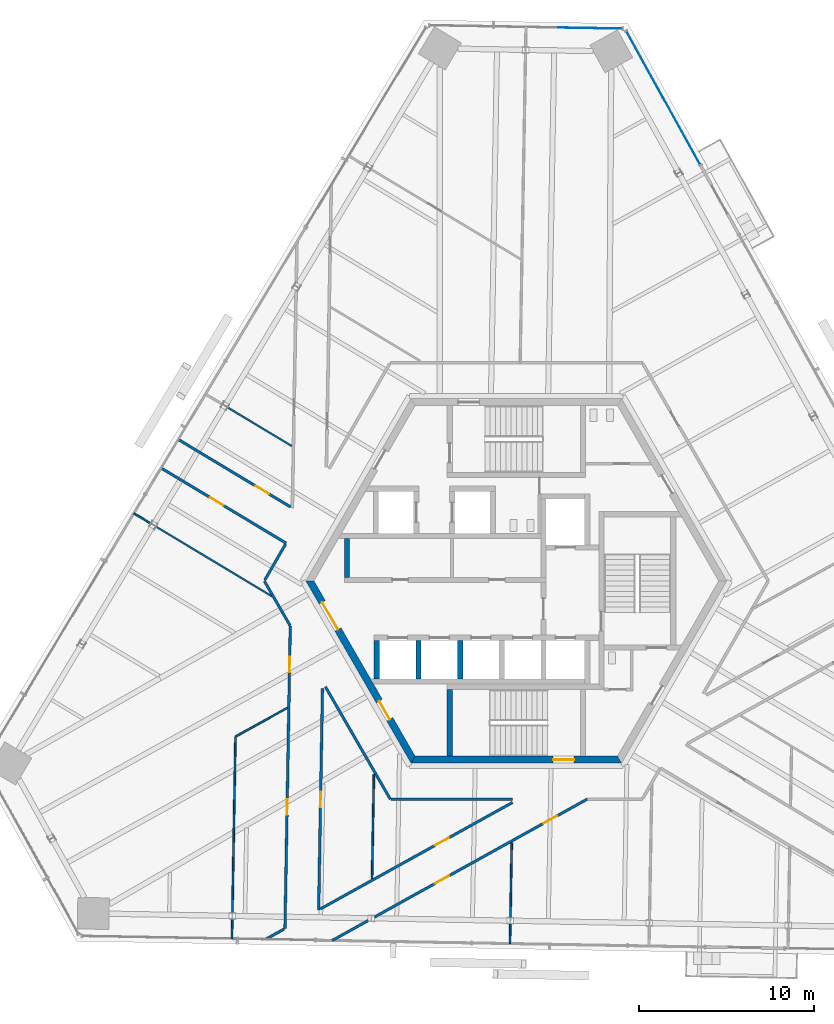
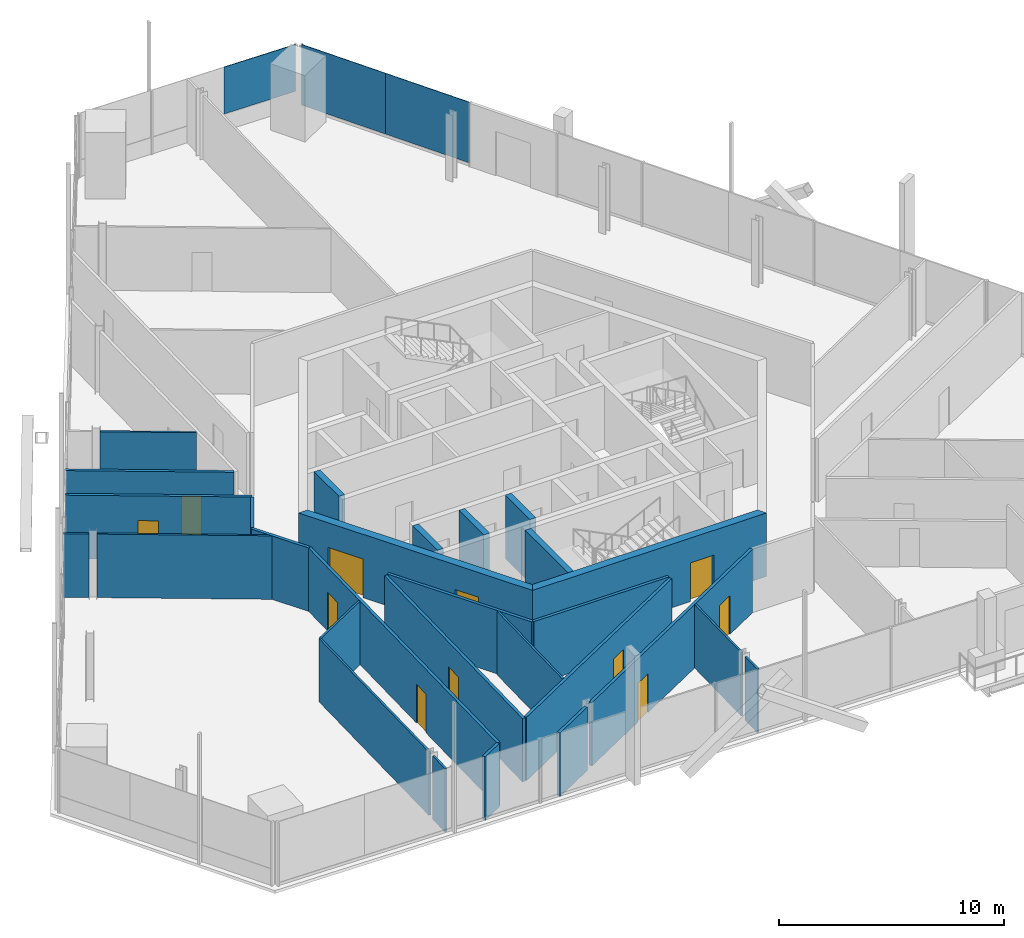
# One storey, part 11 of 20: 28 walls, 11 doors, 3 plates, 11 openings, 2 elements without a shape of their own.
"""IFC4 building model written with IfcOpenShell, lengths in metres."""

from ifc_helpers import new_model, si_unit, direction, frame, frame_2d, origin, origin_2d, place, context, subcontext, project, spatial, polyline, rectangle, outline, extrude, source, transform, mapped, material, layer, layer_set, type_object, element, fill, aggregate, save


model = new_model("IFC4")

# Units and contexts
model_context = context("Model", 3, precision=1e-05, world=origin(), true_north=direction((0.0, 1.0)))
body_context = subcontext(model_context, "Body", "Model", "MODEL_VIEW")
ifc_project = project(units=[si_unit("LENGTHUNIT", "METRE"), si_unit("AREAUNIT", "SQUARE_METRE"), si_unit("VOLUMEUNIT", "CUBIC_METRE"), si_unit("PLANEANGLEUNIT", "RADIAN"), si_unit("MASSUNIT", "GRAM", prefix="KILO")], contexts=[model_context])

# Site, building, storey
site_placement = place(None, origin())
site = spatial("IfcSite", under=ifc_project, at=site_placement, CompositionType="ELEMENT")
building_placement = place(site_placement, origin())
building = spatial("IfcBuilding", under=site, at=building_placement, Name="Triune Harvest Tower", CompositionType="ELEMENT")
storey_placement = place(building_placement, frame((0.0, 0.0, 194.300048828125)))
storey = spatial("IfcBuildingStorey", under=building, at=storey_placement, Name="L50", CompositionType="ELEMENT", Elevation=194.300048828125)

# Curtain wall, plate
ifc_material_1 = material(Name="Aluminium bronze anodised", Category="aluminium")
curtain_wall_type_1 = type_object("IfcCurtainWallType", Name="CW-1 Tower stick curtain wall", PredefinedType="NOTDEFINED", material=ifc_material_1)
curtain_wall_1_placement = place(storey_placement, origin())
curtain_wall_1 = element("IfcCurtainWall", 1, at=curtain_wall_1_placement, inside=storey, type_object=curtain_wall_type_1, Name="CW-1 B5-F2 L50 run 1")
ifc_material_2 = material(Name="Glass", Category="glass")
ifc_layer_1 = layer(ifc_material_2, 0.031982421875)
ifc_layer_set_1 = layer_set([ifc_layer_1], Name="Glass")
plate_type_1 = type_object("IfcPlateType", Name="GL-1 panel 32", PredefinedType="CURTAIN_PANEL", material=ifc_layer_set_1)
shared_shape_1 = source(origin(), body_context, "Body", "SweptSolid", [
    extrude(rectangle(XDim=3.625, YDim=0.031982421875, at=origin_2d()), origin(), (0.0, 0.0, 1.0), 2.5400390625),
])
plate_1_placement = place(storey_placement, frame((4.213134765625, 31.516357421875, 0.89990234375), z_axis=(0.0, 0.0, 1.0), x_axis=(-0.999847801404, 0.017446318452, 0.0)))
plate_1 = element("IfcPlate", 2, at=plate_1_placement, type_object=plate_type_1, Name="CW-1 panel B5-F2 1.1", PredefinedType="CURTAIN_PANEL", context=body_context, shape_type="MappedRepresentation", body=[
    mapped(shared_shape_1, transform((0.0, 0.0, 0.0), scale=1.0)),
])
aggregate(curtain_wall_1, [plate_1])

# Curtain wall, plates
ifc_material_3 = material(Name="Aluminium bronze anodised", Category="aluminium")
curtain_wall_type_2 = type_object("IfcCurtainWallType", Name="CW-6 Balcony window wall", PredefinedType="NOTDEFINED", material=ifc_material_3)
curtain_wall_2_placement = place(storey_placement, origin())
curtain_wall_2 = element("IfcCurtainWall", 3, at=curtain_wall_2_placement, inside=storey, type_object=curtain_wall_type_2, Name="CW-6 B5-F1 L50 run 2")
ifc_material_4 = material(Name="Glass", Category="glass")
ifc_layer_2 = layer(ifc_material_4, 0.030029296875)
ifc_layer_set_2 = layer_set([ifc_layer_2], Name="Glass")
plate_type_2 = type_object("IfcPlateType", Name="GL-6 panel 30", PredefinedType="CURTAIN_PANEL", material=ifc_layer_set_2)
shared_shape_2 = source(origin(), body_context, "Body", "SweptSolid", [
    extrude(rectangle(XDim=4.340576171875, YDim=0.030029296875, at=origin_2d()), origin(), (0.0, 0.0, 1.0), 3.2900390625),
])
plate_2_placement = place(storey_placement, frame((9.427001953125, 25.64306640625, 0.14990234375), z_axis=(0.0, 0.0, 1.0), x_axis=(-0.48480848305, 0.874620337497, 0.0)))
plate_2 = element("IfcPlate", 4, at=plate_2_placement, type_object=plate_type_2, Name="CW-6 panel B5-F1 2.1", PredefinedType="CURTAIN_PANEL", context=body_context, shape_type="MappedRepresentation", body=[
    mapped(shared_shape_2, transform((0.0, 0.0, 0.0), scale=1.0)),
])
plate_3_placement = place(storey_placement, frame((7.32275390625, 29.439453125, 0.14990234375), z_axis=(0.0, 0.0, 1.0), x_axis=(-0.48480848305, 0.874620337497, 0.0)))
plate_3 = element("IfcPlate", 5, at=plate_3_placement, type_object=plate_type_2, Name="CW-6 panel B5-F1 2.2", PredefinedType="CURTAIN_PANEL", context=body_context, shape_type="MappedRepresentation", body=[
    mapped(shared_shape_2, transform((0.0, 0.0, 0.0), scale=1.0)),
])
aggregate(curtain_wall_2, [plate_2, plate_3])

# Walls
ifc_material_5 = material(Name="Gypsum board on steel studs", Category="steel")
ifc_layer_3 = layer(ifc_material_5, 0.14990234375)
ifc_layer_set_3 = layer_set([ifc_layer_3], Name="Gypsum board on steel studs")
wall_type_1 = type_object("IfcWallType", Name="Fire Partition 150 mm", PredefinedType="PARTITIONING", material=ifc_layer_set_3)
wall_1_placement = place(storey_placement, frame((-14.366943359375, -0.000244140625, 0.0), z_axis=(0.0, 0.0, 1.0), x_axis=(0.500007690975, -0.866020963352, 0.0)))
element("IfcWall", 6, at=wall_1_placement, inside=storey, type_object=wall_type_1, Name="Partition L50 002", PredefinedType="PARTITIONING", context=body_context, shape_type="SweptSolid", body=[
    extrude(rectangle(XDim=2.93896484375, YDim=0.14990234375, at=frame_2d((1.469482421875, 0.0))), origin(), (0.0, 0.0, 1.0), 3.43994140625),
])
wall_2_placement = place(storey_placement, frame((-10.885498046875, -6.030517578125, 0.0), z_axis=(0.0, 0.0, 1.0), x_axis=(0.499966047133, -0.866045005594, 0.0)))
element("IfcWall", 7, at=wall_2_placement, inside=storey, type_object=wall_type_1, Name="Partition L50 003", PredefinedType="PARTITIONING", context=body_context, shape_type="SweptSolid", body=[
    extrude(rectangle(XDim=7.4033203125, YDim=0.14990234375, at=frame_2d((3.70166015625, 0.0))), origin(), (0.0, 0.0, 1.0), 3.43994140625),
])

# Wall, opening, door
wall_3_placement = place(storey_placement, frame((-20.25439453125, 6.4375, 0.0), z_axis=(0.0, 0.0, 1.0), x_axis=(0.857176827025, -0.515022220114, 0.0)))
wall_3 = element("IfcWall", 8, at=wall_3_placement, inside=storey, type_object=wall_type_1, Name="Partition L50 007", PredefinedType="PARTITIONING", context=body_context, shape_type="SweptSolid", body=[
    extrude(rectangle(XDim=8.318359375, YDim=0.14990234375, at=frame_2d((4.1591796875, 0.0))), origin(), (0.0, 0.0, 1.0), 3.43994140625),
])
opening_1_placement = place(wall_3_placement, frame((3.25, 0.0, 0.0)))
opening_1 = element("IfcOpeningElement", 9, at=opening_1_placement, cuts=wall_3, Name="Opening L50-008", PredefinedType="OPENING", context=body_context, shape_type="SweptSolid", body=[
    extrude(rectangle(XDim=0.89990234375, YDim=2.10009765625, at=frame_2d((0.449951171875, 1.050048828125))), frame((0.0, 0.0849609375, 0.0), z_axis=(0.0, -1.0, 0.0), x_axis=(1.0, 0.0, 0.0)), (0.0, 0.0, 1.0), 0.169921875),
])
ifc_material_6 = material(Name="Timber and steel door set", Category="steel")
door_type_1 = type_object("IfcDoorType", Name="Single leaf door FD30 right hand 900 x 2100", OperationType="SINGLE_SWING_RIGHT", PredefinedType="DOOR", material=ifc_material_6)
door_1_placement = place(opening_1_placement, origin())
door_1 = element("IfcDoor", 10, at=door_1_placement, inside=storey, type_object=door_type_1, Name="Door L50-008 Meeting Room 50.08", OperationType="SINGLE_SWING_RIGHT", OverallHeight=2.10009765625, OverallWidth=0.89990234375, PredefinedType="DOOR", context=body_context, shape_type="SweptSolid", body=[
    extrude(rectangle(XDim=0.89990234375, YDim=2.10009765625, at=frame_2d((0.449951171875, 1.050048828125))), frame((0.0, 0.02490234375, 0.0), z_axis=(0.0, -1.0, 0.0), x_axis=(1.0, 0.0, 0.0)), (0.0, 0.0, 1.0), 0.050048828125),
])
fill(opening_1, door_1)

wall_4_placement = place(storey_placement, frame((-19.27587890625, 8.06640625, 0.0), z_axis=(0.0, 0.0, 1.0), x_axis=(0.857170192989, -0.515033261306, 0.0)))
wall_4 = element("IfcWall", 11, at=wall_4_placement, inside=storey, type_object=wall_type_1, Name="Partition L50 009", PredefinedType="PARTITIONING", context=body_context, shape_type="SweptSolid", body=[
    extrude(rectangle(XDim=7.479736328125, YDim=0.14990234375, at=frame_2d((3.73974609375, 0.0))), origin(), (0.0, 0.0, 1.0), 3.43994140625),
])
opening_2_placement = place(wall_4_placement, frame((5.1396484375, 0.0, 0.0)))
opening_2 = element("IfcOpeningElement", 12, at=opening_2_placement, cuts=wall_4, Name="Opening L50-009", PredefinedType="OPENING", context=body_context, shape_type="SweptSolid", body=[
    extrude(rectangle(XDim=0.89990234375, YDim=2.10009765625, at=frame_2d((0.449951171875, 1.050048828125))), frame((0.0, 0.0849609375, 0.0), z_axis=(0.0, -1.0, 0.0), x_axis=(1.0, 0.0, 0.0)), (0.0, 0.0, 1.0), 0.169921875),
])
door_2_placement = place(opening_2_placement, origin())
door_2 = element("IfcDoor", 13, at=door_2_placement, inside=storey, type_object=door_type_1, Name="Door L50-009 Office 50.09", OperationType="SINGLE_SWING_RIGHT", OverallHeight=2.10009765625, OverallWidth=0.89990234375, PredefinedType="DOOR", context=body_context, shape_type="SweptSolid", body=[
    extrude(rectangle(XDim=0.89990234375, YDim=2.10009765625, at=frame_2d((0.449951171875, 1.050048828125))), frame((0.0, 0.02490234375, 0.0), z_axis=(0.0, -1.0, 0.0), x_axis=(1.0, 0.0, 0.0)), (0.0, 0.0, 1.0), 0.050048828125),
])
fill(opening_2, door_2)

# Wall
wall_5_placement = place(storey_placement, frame((-7.1435546875, -12.4423828125, 0.0), z_axis=(0.0, 0.0, 1.0), x_axis=(1.0, 0.0, 0.0)))
element("IfcWall", 14, at=wall_5_placement, inside=storey, type_object=wall_type_1, Name="Partition L50 018", PredefinedType="PARTITIONING", context=body_context, shape_type="SweptSolid", body=[
    extrude(rectangle(XDim=6.929443359375, YDim=0.14990234375, at=frame_2d((3.46484375, 0.0))), origin(), (0.0, 0.0, 1.0), 3.43994140625),
])

# Wall, openings, doors
wall_6_placement = place(storey_placement, frame((-8.08740234375, -19.16455078125, 0.0), z_axis=(0.0, 0.0, 1.0), x_axis=(0.874621151909, 0.484807013804, 0.0)))
wall_6 = element("IfcWall", 15, at=wall_6_placement, inside=storey, type_object=wall_type_1, Name="Partition L50 022", PredefinedType="PARTITIONING", context=body_context, shape_type="SweptSolid", body=[
    extrude(rectangle(XDim=13.86572265625, YDim=0.14990234375, at=frame_2d((6.932861328125, 0.0))), origin(), (0.0, 0.0, 1.0), 3.43994140625),
])
opening_3_placement = place(wall_6_placement, frame((3.947509765625, 0.0, 0.0)))
opening_3 = element("IfcOpeningElement", 16, at=opening_3_placement, cuts=wall_6, Name="Opening L50-014", PredefinedType="OPENING", context=body_context, shape_type="SweptSolid", body=[
    extrude(rectangle(XDim=0.89990234375, YDim=2.10009765625, at=frame_2d((0.449951171875, 1.050048828125))), frame((0.0, 0.0849609375, 0.0), z_axis=(0.0, -1.0, 0.0), x_axis=(1.0, 0.0, 0.0)), (0.0, 0.0, 1.0), 0.169921875),
])
opening_4_placement = place(wall_6_placement, frame((11.0009765625, 0.0, 0.0)))
opening_4 = element("IfcOpeningElement", 17, at=opening_4_placement, cuts=wall_6, Name="Opening L50-015", PredefinedType="OPENING", context=body_context, shape_type="SweptSolid", body=[
    extrude(rectangle(XDim=0.89990234375, YDim=2.10009765625, at=frame_2d((0.449951171875, 1.050048828125))), frame((0.0, 0.0849609375, 0.0), z_axis=(0.0, -1.0, 0.0), x_axis=(1.0, 0.0, 0.0)), (0.0, 0.0, 1.0), 0.169921875),
])
ifc_material_7 = material(Name="Timber and steel door set", Category="steel")
door_type_2 = type_object("IfcDoorType", Name="Single leaf door FD30 left hand 900 x 2100", OperationType="SINGLE_SWING_LEFT", PredefinedType="DOOR", material=ifc_material_7)
door_3_placement = place(opening_4_placement, origin())
door_3 = element("IfcDoor", 18, at=door_3_placement, inside=storey, type_object=door_type_2, Name="Door L50-015 Office 50.15", OperationType="SINGLE_SWING_LEFT", OverallHeight=2.10009765625, OverallWidth=0.89990234375, PredefinedType="DOOR", context=body_context, shape_type="SweptSolid", body=[
    extrude(rectangle(XDim=0.89990234375, YDim=2.10009765625, at=frame_2d((0.449951171875, 1.050048828125))), frame((0.0, 0.02490234375, 0.0), z_axis=(0.0, -1.0, 0.0), x_axis=(1.0, 0.0, 0.0)), (0.0, 0.0, 1.0), 0.050048828125),
])
fill(opening_4, door_3)
door_4_placement = place(opening_3_placement, origin())
door_4 = element("IfcDoor", 19, at=door_4_placement, inside=storey, type_object=door_type_1, Name="Door L50-014 Open Office 50.14", OperationType="SINGLE_SWING_RIGHT", OverallHeight=2.10009765625, OverallWidth=0.89990234375, PredefinedType="DOOR", context=body_context, shape_type="SweptSolid", body=[
    extrude(rectangle(XDim=0.89990234375, YDim=2.10009765625, at=frame_2d((0.449951171875, 1.050048828125))), frame((0.0, 0.02490234375, 0.0), z_axis=(0.0, -1.0, 0.0), x_axis=(1.0, 0.0, 0.0)), (0.0, 0.0, 1.0), 0.050048828125),
])
fill(opening_3, door_4)

# Walls
wall_7_placement = place(storey_placement, frame((-14.342041015625, 0.043701171875, 0.0), z_axis=(0.0, 0.0, 1.0), x_axis=(0.500039650838, 0.866002510152, 0.0)))
element("IfcWall", 20, at=wall_7_placement, inside=storey, type_object=wall_type_1, Name="Partition L50 032", PredefinedType="PARTITIONING", context=body_context, shape_type="SweptSolid", body=[
    extrude(rectangle(XDim=2.376220703125, YDim=0.14990234375, at=frame_2d((1.18798828125, 0.0))), origin(), (0.0, 0.0, 1.0), 3.43994140625),
])
ifc_material_8 = material(Name="Gypsum board on steel studs", Category="steel")
ifc_layer_4 = layer(ifc_material_8, 0.10009765625)
ifc_layer_set_4 = layer_set([ifc_layer_4], Name="Gypsum board on steel studs")
wall_type_2 = type_object("IfcWallType", Name="Partition 100 mm", PredefinedType="PARTITIONING", material=ifc_layer_set_4)
wall_8_placement = place(storey_placement, frame((-20.543212890625, 3.095458984375, 0.0), z_axis=(0.0, 0.0, 1.0), x_axis=(0.857157531594, -0.515054333087, 0.0)))
element("IfcWall", 21, at=wall_8_placement, inside=storey, type_object=wall_type_2, Name="Partition L50 006", PredefinedType="PARTITIONING", context=body_context, shape_type="SweptSolid", body=[
    extrude(rectangle(XDim=7.840087890625, YDim=0.10009765625, at=frame_2d((3.919921875, 0.0))), origin(), (0.0, 0.0, 1.0), 3.43994140625),
])

# Wall, openings, doors
ifc_material_9 = material(Name="Concrete 70 MPa", Category="concrete")
ifc_layer_5 = layer(ifc_material_9, 0.39990234375)
ifc_layer_set_5 = layer_set([ifc_layer_5], Name="Concrete 70 MPa")
wall_type_3 = type_object("IfcWallType", Name="Core wall 400", PredefinedType="SHEAR", material=ifc_layer_set_5)
shared_shape_3 = source(origin(), body_context, "Body", "SweptSolid", [
    extrude(outline(polyline([(-0.115478515625, -0.199951171875), (11.884521484375, -0.199951171875), (11.653564453125, 0.199951171875), (0.115478515625, 0.199951171875), (-0.115478515625, -0.199951171875)])), origin(), (0.0, 0.0, 1.0), 3.43994140625),
])
wall_9_placement = place(storey_placement, frame((-11.76904296875, 0.0, 0.0), z_axis=(0.0, 0.0, 1.0), x_axis=(0.499996592174, -0.866027371285, 0.0)))
wall_9 = element("IfcWall", 22, at=wall_9_placement, inside=storey, type_object=wall_type_3, Name="Hexagon 3 wall", PredefinedType="SHEAR", context=body_context, shape_type="MappedRepresentation", body=[
    mapped(shared_shape_3, transform((0.0, 0.0, 0.0), scale=1.0)),
])
opening_5_placement = place(wall_9_placement, frame((1.404541015625, 0.0, 0.0)))
opening_5 = element("IfcOpeningElement", 23, at=opening_5_placement, cuts=wall_9, Name="Opening CD-LS", PredefinedType="OPENING", context=body_context, shape_type="SweptSolid", body=[
    extrude(rectangle(XDim=1.800048828125, YDim=2.10009765625, at=frame_2d((0.89990234375, 1.050048828125))), frame((0.0, 0.2099609375, 0.0), z_axis=(0.0, -1.0, 0.0), x_axis=(1.0, 0.0, 0.0)), (0.0, 0.0, 1.0), 0.419921875),
])
opening_6_placement = place(wall_9_placement, frame((7.91455078125, 0.0, 0.0)))
opening_6 = element("IfcOpeningElement", 24, at=opening_6_placement, cuts=wall_9, Name="Opening CD-SWP", PredefinedType="OPENING", context=body_context, shape_type="SweptSolid", body=[
    extrude(rectangle(XDim=1.199951171875, YDim=2.10009765625, at=frame_2d((0.60009765625, 1.050048828125))), frame((0.0, 0.2099609375, 0.0), z_axis=(0.0, -1.0, 0.0), x_axis=(1.0, 0.0, 0.0)), (0.0, 0.0, 1.0), 0.419921875),
])
ifc_material_10 = material(Name="Steel S235", Category="steel")
door_type_3 = type_object("IfcDoorType", Name="Lobby door 1800 FD120", OperationType="DOUBLE_DOOR_DOUBLE_SWING", PredefinedType="DOOR", material=ifc_material_10)
door_5_placement = place(opening_5_placement, frame((1.800048828125, 0.0, 0.0), z_axis=(0.0, 0.0, 1.0), x_axis=(-1.0, 0.0, 0.0)))
door_5 = element("IfcDoor", 25, at=door_5_placement, inside=storey, type_object=door_type_3, Name="Door CD-LS", OperationType="DOUBLE_DOOR_DOUBLE_SWING", OverallHeight=2.10009765625, OverallWidth=1.800048828125, PredefinedType="DOOR", context=body_context, shape_type="SweptSolid", body=[
    extrude(rectangle(XDim=1.800048828125, YDim=2.10009765625, at=frame_2d((0.89990234375, 1.050048828125))), frame((0.0, 0.02490234375, 0.0), z_axis=(0.0, -1.0, 0.0), x_axis=(1.0, 0.0, 0.0)), (0.0, 0.0, 1.0), 0.050048828125),
])
fill(opening_5, door_5)
ifc_material_11 = material(Name="Steel S235", Category="steel")
door_type_4 = type_object("IfcDoorType", Name="Service door 1200 FD120", OperationType="SINGLE_SWING_LEFT", PredefinedType="DOOR", material=ifc_material_11)
door_6_placement = place(opening_6_placement, frame((1.199951171875, 0.0, 0.0), z_axis=(0.0, 0.0, 1.0), x_axis=(-1.0, 0.0, 0.0)))
door_6 = element("IfcDoor", 26, at=door_6_placement, inside=storey, type_object=door_type_4, Name="Door CD-SWP", OperationType="SINGLE_SWING_RIGHT", OverallHeight=2.10009765625, OverallWidth=1.199951171875, PredefinedType="DOOR", context=body_context, shape_type="SweptSolid", body=[
    extrude(rectangle(XDim=1.199951171875, YDim=2.10009765625, at=frame_2d((0.60009765625, 1.050048828125))), frame((0.0, 0.02490234375, 0.0), z_axis=(0.0, -1.0, 0.0), x_axis=(1.0, 0.0, 0.0)), (0.0, 0.0, 1.0), 0.050048828125),
])
fill(opening_6, door_6)

# Wall, opening, door
wall_10_placement = place(storey_placement, frame((-5.884521484375, -10.1923828125, 0.0), z_axis=(0.0, 0.0, 1.0), x_axis=(1.0, 0.0, 0.0)))
wall_10 = element("IfcWall", 27, at=wall_10_placement, inside=storey, type_object=wall_type_3, Name="Hexagon 4 wall", PredefinedType="SHEAR", context=body_context, shape_type="MappedRepresentation", body=[
    mapped(shared_shape_3, transform((0.0, 0.0, 0.0), scale=1.0)),
])
opening_7_placement = place(wall_10_placement, frame((7.984619140625, 0.0, 0.0)))
opening_7 = element("IfcOpeningElement", 28, at=opening_7_placement, cuts=wall_10, Name="Opening CD-S2P", PredefinedType="OPENING", context=body_context, shape_type="SweptSolid", body=[
    extrude(rectangle(XDim=1.199951171875, YDim=2.10009765625, at=frame_2d((0.60009765625, 1.050048828125))), frame((0.0, 0.2099609375, 0.0), z_axis=(0.0, -1.0, 0.0), x_axis=(1.0, 0.0, 0.0)), (0.0, 0.0, 1.0), 0.419921875),
])
ifc_material_12 = material(Name="Steel S235", Category="steel")
door_type_5 = type_object("IfcDoorType", Name="Stair door 1200 FD120", OperationType="SINGLE_SWING_LEFT", PredefinedType="DOOR", material=ifc_material_12)
door_7_placement = place(opening_7_placement, frame((1.199951171875, 0.0, 0.0), z_axis=(0.0, 0.0, 1.0), x_axis=(-1.0, 0.0, 0.0)))
door_7 = element("IfcDoor", 29, at=door_7_placement, inside=storey, type_object=door_type_5, Name="Door CD-S2P", OperationType="SINGLE_SWING_RIGHT", OverallHeight=2.10009765625, OverallWidth=1.199951171875, PredefinedType="DOOR", context=body_context, shape_type="SweptSolid", body=[
    extrude(rectangle(XDim=1.199951171875, YDim=2.10009765625, at=frame_2d((0.60009765625, 1.050048828125))), frame((0.0, 0.02490234375, 0.0), z_axis=(0.0, -1.0, 0.0), x_axis=(1.0, 0.0, 0.0)), (0.0, 0.0, 1.0), 0.050048828125),
])
fill(opening_7, door_7)

# Walls
ifc_material_13 = material(Name="Concrete 70 MPa", Category="concrete")
ifc_layer_6 = layer(ifc_material_13, 0.300048828125)
ifc_layer_set_6 = layer_set([ifc_layer_6], Name="Concrete 70 MPa")
wall_type_4 = type_object("IfcWallType", Name="Core wall 300", PredefinedType="SHEAR", material=ifc_layer_set_6)
shared_shape_4 = source(origin(), body_context, "Body", "SweptSolid", [
    extrude(rectangle(XDim=2.2001953125, YDim=0.300048828125, at=frame_2d((1.10009765625, 0.0))), origin(), (0.0, 0.0, 1.0), 3.43994140625),
])
for number, where, z_axis, x_axis, name in (
    (30, (-7.949951171875, -5.590087890625, 0.0), (0.0, 0.0, 1.0), (0.0, 1.0, 0.0), "South end west wall"),
    (31, (-5.574951171875, -5.590087890625, 0.0), (0.0, 0.0, 1.0), (0.0, 1.0, 0.0), "South cross 1 wall"),
    (32, (-3.199951171875, -5.590087890625, 0.0), (0.0, 0.0, 1.0), (0.0, 1.0, 0.0), "South cross 2 wall"),
):
    element("IfcWall", number, at=place(storey_placement, frame(where, z_axis=z_axis, x_axis=x_axis)), inside=storey, type_object=wall_type_4, Name=name, PredefinedType="SHEAR", context=body_context, shape_type="MappedRepresentation", body=[
        mapped(shared_shape_4, transform((0.0, 0.0, 0.0), scale=1.0)),
    ])
shared_shape_5 = source(origin(), body_context, "Body", "SweptSolid", [
    extrude(rectangle(XDim=2.199951171875, YDim=0.300048828125, at=frame_2d((1.10009765625, 0.0))), origin(), (0.0, 0.0, 1.0), 3.43994140625),
])
wall_11_placement = place(storey_placement, frame((-9.64990234375, 0.2099609375, 0.0), z_axis=(0.0, 0.0, 1.0), x_axis=(0.0, 1.0, 0.0)))
element("IfcWall", 33, at=wall_11_placement, inside=storey, type_object=wall_type_4, Name="North end west wall", PredefinedType="SHEAR", context=body_context, shape_type="MappedRepresentation", body=[
    mapped(shared_shape_5, transform((0.0, 0.0, 0.0), scale=1.0)),
])
shared_shape_6 = source(origin(), body_context, "Body", "SweptSolid", [
    extrude(outline(polyline([(3.800048828125, -0.14990234375), (-0.00439453125, -0.14990234375), (-0.00439453125, 0.14990234375), (3.800048828125, 0.14990234375), (3.800048828125, -0.14990234375)])), origin(), (0.0, 0.0, 1.0), 3.43994140625),
])
wall_12_placement = place(storey_placement, frame((-3.800048828125, -9.989990234375, 0.0), z_axis=(0.0, 0.0, 1.0), x_axis=(0.0, 1.0, 0.0)))
element("IfcWall", 34, at=wall_12_placement, inside=storey, type_object=wall_type_4, Name="Stair s west wall", PredefinedType="SHEAR", context=body_context, shape_type="MappedRepresentation", body=[
    mapped(shared_shape_6, transform((0.0, 0.0, 0.0), scale=1.0)),
])
shared_shape_7 = source(origin(), body_context, "Body", "SweptSolid", [
    extrude(rectangle(XDim=1.13037109375, YDim=0.10009765625, at=frame_2d((0.565185546875, 0.0))), origin(), (0.0, 0.0, 1.0), 3.43994140625),
])
for number, where, z_axis, x_axis, name in (
    (35, (-21.806396484375, 3.8544921875, 0.0), (0.0, 0.0, 1.0), (0.857149738065, -0.515067302919, 0.0), "Partition L50 005"),
    (36, (-0.36083984375, -20.673828125, 0.0), (0.0, 0.0, 1.0), (0.017495701451, 0.999846938501, 0.0), "Partition L50 039"),
):
    element("IfcWall", number, at=place(storey_placement, frame(where, z_axis=z_axis, x_axis=x_axis)), inside=storey, type_object=wall_type_2, Name=name, PredefinedType="PARTITIONING", context=body_context, shape_type="MappedRepresentation", body=[
        mapped(shared_shape_7, transform((0.0, 0.0, 0.0), scale=1.0)),
    ])
shared_shape_8 = source(origin(), body_context, "Body", "SweptSolid", [
    extrude(rectangle(XDim=1.130615234375, YDim=0.10009765625, at=frame_2d((0.5654296875, 0.0))), origin(), (0.0, 0.0, 1.0), 3.43994140625),
])
wall_13_placement = place(storey_placement, frame((-16.212890625, -20.397216796875, 0.0), z_axis=(0.0, 0.0, 1.0), x_axis=(0.017491923839, 0.999847004596, 0.0)))
element("IfcWall", 37, at=wall_13_placement, inside=storey, type_object=wall_type_2, Name="Partition L50 049", PredefinedType="PARTITIONING", context=body_context, shape_type="MappedRepresentation", body=[
    mapped(shared_shape_8, transform((0.0, 0.0, 0.0), scale=1.0)),
])
shared_shape_9 = source(origin(), body_context, "Body", "SweptSolid", [
    extrude(rectangle(XDim=10.049560546875, YDim=0.10009765625, at=frame_2d((5.02490234375, 0.0))), origin(), (0.0, 0.0, 1.0), 3.43994140625),
])
wall_14_placement = place(storey_placement, frame((-16.187255859375, -18.923583984375, 0.0), z_axis=(0.0, 0.0, 1.0), x_axis=(0.017467024061, 0.999847439898, 0.0)))
element("IfcWall", 38, at=wall_14_placement, inside=storey, type_object=wall_type_2, Name="Partition L50 050", PredefinedType="PARTITIONING", context=body_context, shape_type="MappedRepresentation", body=[
    mapped(shared_shape_9, transform((0.0, 0.0, 0.0), scale=1.0)),
])
shared_shape_10 = source(origin(), body_context, "Body", "SweptSolid", [
    extrude(rectangle(XDim=5.96533203125, YDim=0.10009765625, at=frame_2d((2.982666015625, 0.0))), origin(), (0.0, 0.0, 1.0), 3.43994140625),
])
wall_15_placement = place(storey_placement, frame((-8.224853515625, -16.979248046875, 0.0), z_axis=(0.0, 0.0, 1.0), x_axis=(0.017475840813, 0.999847285833, 0.0)))
element("IfcWall", 39, at=wall_15_placement, inside=storey, type_object=wall_type_2, Name="Partition L50 043", PredefinedType="PARTITIONING", context=body_context, shape_type="MappedRepresentation", body=[
    mapped(shared_shape_10, transform((0.0, 0.0, 0.0), scale=1.0)),
])
shared_shape_11 = source(origin(), body_context, "Body", "SweptSolid", [
    extrude(rectangle(XDim=2.34326171875, YDim=0.14990234375, at=frame_2d((1.171630859375, 0.0))), origin(), (0.0, 0.0, 1.0), 3.43994140625),
])
wall_16_placement = place(storey_placement, frame((-10.491455078125, -20.4970703125, 0.0), z_axis=(0.0, 0.0, 1.0), x_axis=(0.874638459137, 0.484775789204, 0.0)))
element("IfcWall", 40, at=wall_16_placement, inside=storey, type_object=wall_type_1, Name="Partition L50 021", PredefinedType="PARTITIONING", context=body_context, shape_type="MappedRepresentation", body=[
    mapped(shared_shape_11, transform((0.0, 0.0, 0.0), scale=1.0)),
])
shared_shape_12 = source(origin(), body_context, "Body", "SweptSolid", [
    extrude(rectangle(XDim=1.2099609375, YDim=0.14990234375, at=frame_2d((0.60498046875, 0.0))), origin(), (0.0, 0.0, 1.0), 3.43994140625),
])
wall_17_placement = place(storey_placement, frame((-14.290771484375, -20.430908203125, 0.0), z_axis=(0.0, 0.0, 1.0), x_axis=(0.874566260636, 0.484906027759, 0.0)))
element("IfcWall", 41, at=wall_17_placement, inside=storey, type_object=wall_type_1, Name="Partition L50 024", PredefinedType="PARTITIONING", context=body_context, shape_type="MappedRepresentation", body=[
    mapped(shared_shape_12, transform((0.0, 0.0, 0.0), scale=1.0)),
])

# Wall, opening, door
shared_shape_13 = source(origin(), body_context, "Body", "SweptSolid", [
    extrude(rectangle(XDim=12.526611328125, YDim=0.14990234375, at=frame_2d((6.26318359375, 0.0))), origin(), (0.0, 0.0, 1.0), 3.43994140625),
])
wall_18_placement = place(storey_placement, frame((-11.173583984375, -18.702880859375, 0.0), z_axis=(0.0, 0.0, 1.0), x_axis=(0.874621136769, 0.484807041116, 0.0)))
wall_18 = element("IfcWall", 42, at=wall_18_placement, inside=storey, type_object=wall_type_1, Name="Partition L50 025", PredefinedType="PARTITIONING", context=body_context, shape_type="MappedRepresentation", body=[
    mapped(shared_shape_13, transform((0.0, 0.0, 0.0), scale=1.0)),
])
opening_8_placement = place(wall_18_placement, frame((7.47314453125, 0.0, 0.0)))
opening_8 = element("IfcOpeningElement", 43, at=opening_8_placement, cuts=wall_18, Name="Opening L50-013", PredefinedType="OPENING", context=body_context, shape_type="SweptSolid", body=[
    extrude(rectangle(XDim=0.89990234375, YDim=2.10009765625, at=frame_2d((0.449951171875, 1.050048828125))), frame((0.0, 0.0849609375, 0.0), z_axis=(0.0, -1.0, 0.0), x_axis=(1.0, 0.0, 0.0)), (0.0, 0.0, 1.0), 0.169921875),
])
door_8_placement = place(opening_8_placement, origin())
door_8 = element("IfcDoor", 44, at=door_8_placement, inside=storey, type_object=door_type_1, Name="Door L50-013 Open Office 50.13", OperationType="SINGLE_SWING_RIGHT", OverallHeight=2.10009765625, OverallWidth=0.89990234375, PredefinedType="DOOR", context=body_context, shape_type="SweptSolid", body=[
    extrude(rectangle(XDim=0.89990234375, YDim=2.10009765625, at=frame_2d((0.449951171875, 1.050048828125))), frame((0.0, 0.02490234375, 0.0), z_axis=(0.0, -1.0, 0.0), x_axis=(1.0, 0.0, 0.0)), (0.0, 0.0, 1.0), 0.050048828125),
])
fill(opening_8, door_8)

# Walls
shared_shape_14 = source(origin(), body_context, "Body", "SweptSolid", [
    extrude(rectangle(XDim=3.36962890625, YDim=0.10009765625, at=frame_2d((1.684814453125, 0.0))), origin(), (0.0, 0.0, 1.0), 3.43994140625),
])
wall_19_placement = place(storey_placement, frame((-15.994384765625, -8.86572265625, 0.0), z_axis=(0.0, 0.0, 1.0), x_axis=(0.874638718948, 0.48477532045, 0.0)))
element("IfcWall", 45, at=wall_19_placement, inside=storey, type_object=wall_type_2, Name="Partition L50 029", PredefinedType="PARTITIONING", context=body_context, shape_type="MappedRepresentation", body=[
    mapped(shared_shape_14, transform((0.0, 0.0, 0.0), scale=1.0)),
])
shared_shape_15 = source(origin(), body_context, "Body", "SweptSolid", [
    extrude(rectangle(XDim=4.285888671875, YDim=0.10009765625, at=frame_2d((2.14306640625, 0.0))), origin(), (0.0, 0.0, 1.0), 3.43994140625),
])
for number, where, z_axis, x_axis, name in (
    (46, (-16.46044921875, 9.890380859375, 0.0), (0.0, 0.0, 1.0), (0.857186175999, -0.515006659836, 0.0), "Partition L50 012"),
    (47, (-0.335205078125, -19.200439453125, 0.0), (0.0, 0.0, 1.0), (0.017488209341, 0.999847069573, 0.0), "Partition L50 040"),
):
    element("IfcWall", number, at=place(storey_placement, frame(where, z_axis=z_axis, x_axis=x_axis)), inside=storey, type_object=wall_type_2, Name=name, PredefinedType="PARTITIONING", context=body_context, shape_type="MappedRepresentation", body=[
        mapped(shared_shape_15, transform((0.0, 0.0, 0.0), scale=1.0)),
    ])

# Wall, opening, door
shared_shape_16 = source(origin(), body_context, "Body", "SweptSolid", [
    extrude(rectangle(XDim=12.636962890625, YDim=0.14990234375, at=frame_2d((6.318359375, 0.0))), origin(), (0.0, 0.0, 1.0), 3.43994140625),
])
wall_20_placement = place(storey_placement, frame((-11.27001953125, -18.75634765625, 0.0), z_axis=(0.0, 0.0, 1.0), x_axis=(0.017464922205, 0.999847476615, 0.0)))
wall_20 = element("IfcWall", 48, at=wall_20_placement, inside=storey, type_object=wall_type_1, Name="Partition L50 044", PredefinedType="PARTITIONING", context=body_context, shape_type="MappedRepresentation", body=[
    mapped(shared_shape_16, transform((0.0, 0.0, 0.0), scale=1.0)),
])
opening_9_placement = place(wall_20_placement, frame((5.85009765625, 0.0, 0.0)))
opening_9 = element("IfcOpeningElement", 49, at=opening_9_placement, cuts=wall_20, Name="Opening L50-012", PredefinedType="OPENING", context=body_context, shape_type="SweptSolid", body=[
    extrude(rectangle(XDim=0.89990234375, YDim=2.10009765625, at=frame_2d((0.449951171875, 1.050048828125))), frame((0.0, 0.0849609375, 0.0), z_axis=(0.0, -1.0, 0.0), x_axis=(1.0, 0.0, 0.0)), (0.0, 0.0, 1.0), 0.169921875),
])
door_9_placement = place(opening_9_placement, origin())
door_9 = element("IfcDoor", 50, at=door_9_placement, inside=storey, type_object=door_type_1, Name="Door L50-012 Meeting Room 50.12", OperationType="SINGLE_SWING_RIGHT", OverallHeight=2.10009765625, OverallWidth=0.89990234375, PredefinedType="DOOR", context=body_context, shape_type="SweptSolid", body=[
    extrude(rectangle(XDim=0.89990234375, YDim=2.10009765625, at=frame_2d((0.449951171875, 1.050048828125))), frame((0.0, 0.02490234375, 0.0), z_axis=(0.0, -1.0, 0.0), x_axis=(1.0, 0.0, 0.0)), (0.0, 0.0, 1.0), 0.050048828125),
])
fill(opening_9, door_9)

# Wall, openings, doors
shared_shape_17 = source(origin(), body_context, "Body", "SweptSolid", [
    extrude(rectangle(XDim=17.259765625, YDim=0.14990234375, at=frame_2d((8.6298828125, 0.0))), origin(), (0.0, 0.0, 1.0), 3.43994140625),
])
wall_21_placement = place(storey_placement, frame((-13.18896484375, -19.81982421875, 0.0), z_axis=(0.0, 0.0, 1.0), x_axis=(0.017455075311, 0.999847648567, 0.0)))
wall_21 = element("IfcWall", 51, at=wall_21_placement, inside=storey, type_object=wall_type_1, Name="Partition L50 046", PredefinedType="PARTITIONING", context=body_context, shape_type="MappedRepresentation", body=[
    mapped(shared_shape_17, transform((0.0, 0.0, 0.0), scale=1.0)),
])
opening_10_placement = place(wall_21_placement, frame((14.60986328125, 0.0, 0.0)))
opening_10 = element("IfcOpeningElement", 52, at=opening_10_placement, cuts=wall_21, Name="Opening L50-010", PredefinedType="OPENING", context=body_context, shape_type="SweptSolid", body=[
    extrude(rectangle(XDim=0.89990234375, YDim=2.10009765625, at=frame_2d((0.449951171875, 1.050048828125))), frame((0.0, 0.0849609375, 0.0), z_axis=(0.0, -1.0, 0.0), x_axis=(1.0, 0.0, 0.0)), (0.0, 0.0, 1.0), 0.169921875),
])
opening_11_placement = place(wall_21_placement, frame((6.4833984375, 0.0, 0.0)))
opening_11 = element("IfcOpeningElement", 53, at=opening_11_placement, cuts=wall_21, Name="Opening L50-011", PredefinedType="OPENING", context=body_context, shape_type="SweptSolid", body=[
    extrude(rectangle(XDim=0.89990234375, YDim=2.10009765625, at=frame_2d((0.449951171875, 1.050048828125))), frame((0.0, 0.0849609375, 0.0), z_axis=(0.0, -1.0, 0.0), x_axis=(1.0, 0.0, 0.0)), (0.0, 0.0, 1.0), 0.169921875),
])
door_10_placement = place(opening_11_placement, origin())
door_10 = element("IfcDoor", 54, at=door_10_placement, inside=storey, type_object=door_type_2, Name="Door L50-011 Office 50.11", OperationType="SINGLE_SWING_LEFT", OverallHeight=2.10009765625, OverallWidth=0.89990234375, PredefinedType="DOOR", context=body_context, shape_type="SweptSolid", body=[
    extrude(rectangle(XDim=0.89990234375, YDim=2.10009765625, at=frame_2d((0.449951171875, 1.050048828125))), frame((0.0, 0.02490234375, 0.0), z_axis=(0.0, -1.0, 0.0), x_axis=(1.0, 0.0, 0.0)), (0.0, 0.0, 1.0), 0.050048828125),
])
fill(opening_11, door_10)
door_11_placement = place(opening_10_placement, origin())
door_11 = element("IfcDoor", 55, at=door_11_placement, inside=storey, type_object=door_type_1, Name="Door L50-010 Office 50.10", OperationType="SINGLE_SWING_RIGHT", OverallHeight=2.10009765625, OverallWidth=0.89990234375, PredefinedType="DOOR", context=body_context, shape_type="SweptSolid", body=[
    extrude(rectangle(XDim=0.89990234375, YDim=2.10009765625, at=frame_2d((0.449951171875, 1.050048828125))), frame((0.0, 0.02490234375, 0.0), z_axis=(0.0, -1.0, 0.0), x_axis=(1.0, 0.0, 0.0)), (0.0, 0.0, 1.0), 0.050048828125),
])
fill(opening_10, door_11)

save(model, "model.ifc")
